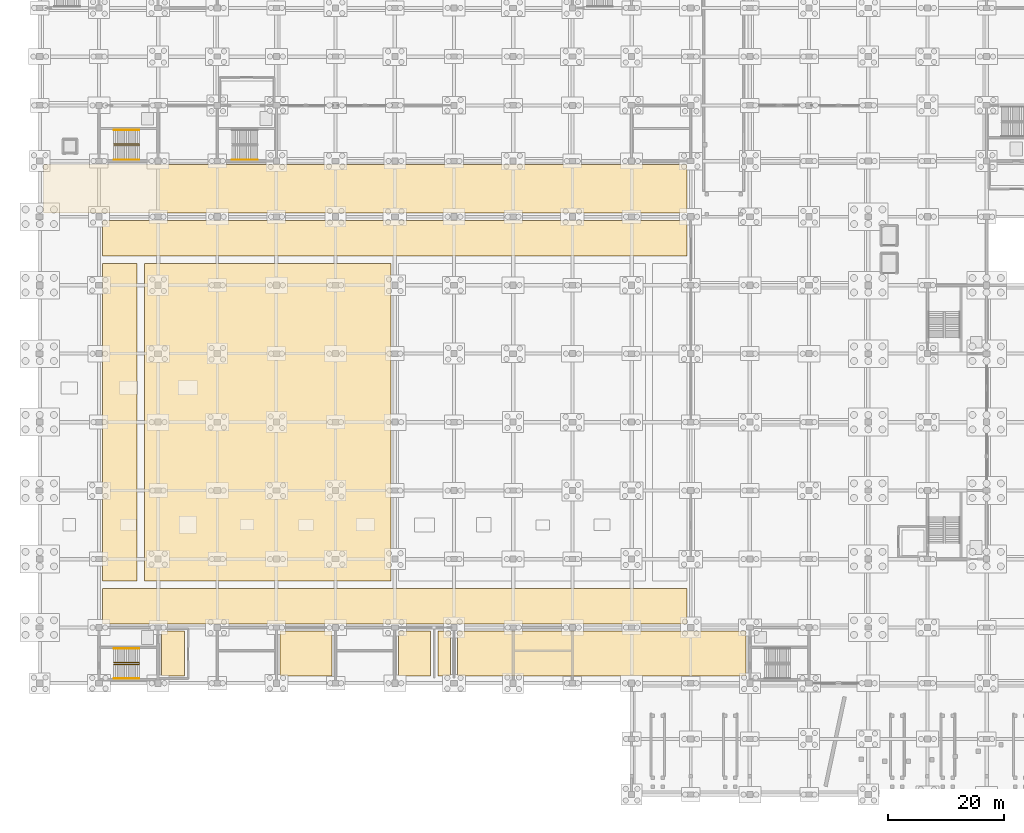
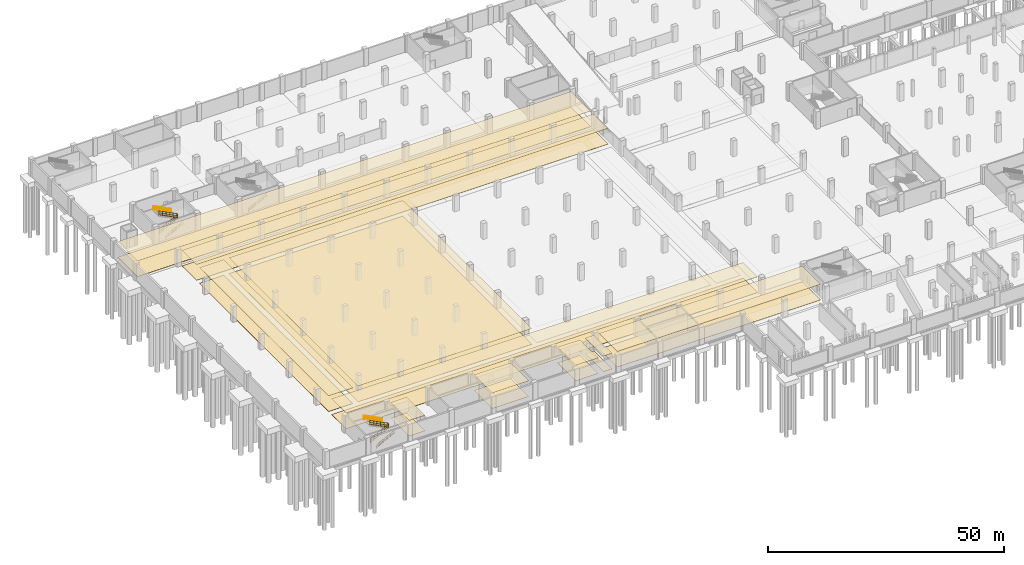
# One storey, part 47 of 52: 20 coverings, 7 railings.
"""IFC4 building model written with IfcOpenShell, lengths in metres."""

import ifcopenshell
import ifcopenshell.guid

model = None  # the IFC model being written
_history = None  # IfcOwnerHistory: only IFC2X3 demands one
_inside = {}  # id of a spatial element -> (the spatial element, [elements in it])
_under = {}  # id of a project, library or spatial element -> (it, [spatial elements below it])
_declared = {}  # id of a project -> (the project, [libraries it declares])
_typed = {}  # id of a type object -> (the type object, [elements of that type])
_made_of = {}  # id of a material, layer set ... -> (it, [elements and type objects made of it])


def new_model(schema):
    """Start an empty IFC model of exactly this schema.

    Asked for "IFC4X3", IfcOpenShell would pick the latest addendum, in which some entities
    have other attributes; the version numbers below select the first issue.
    IFC2X3 requires an IfcOwnerHistory on every rooted entity: one is made here for all.
    """
    global model, _history
    if schema == "IFC4X3":
        model = ifcopenshell.file(schema_version=(4, 3, 0, 0))
    else:
        model = ifcopenshell.file(schema=schema)
    _inside.clear()
    _under.clear()
    _declared.clear()
    _typed.clear()
    _made_of.clear()
    _history = None
    if model.schema == "IFC2X3":
        org = make("IfcOrganization", Name="unknown")
        user = make(
            "IfcPersonAndOrganization",
            ThePerson=make("IfcPerson", FamilyName="unknown"),
            TheOrganization=org,
        )
        app = make(
            "IfcApplication",
            ApplicationDeveloper=org,
            Version="unknown",
            ApplicationFullName="unknown",
            ApplicationIdentifier="unknown",
        )
        _history = make(
            "IfcOwnerHistory",
            OwningUser=user,
            OwningApplication=app,
            ChangeAction="ADDED",
            CreationDate=0,
        )
    return model


def make(cls, **values):
    """One entity of the class cls with the attributes given. An attribute that is None is left unset."""
    return model.create_entity(
        cls, **{name: value for name, value in values.items() if value is not None}
    )


def rooted(cls, **values):
    """An entity with a GlobalId (a new one), such as an element, a storey or a relation."""
    return make(cls, GlobalId=ifcopenshell.guid.new(), OwnerHistory=_history, **values)


def si_unit(unit_type, name, prefix=None):
    """IfcSIUnit, for example si_unit("LENGTHUNIT", "METRE", prefix="MILLI")."""
    return make("IfcSIUnit", UnitType=unit_type, Prefix=prefix, Name=name)


def assignment(units):
    """IfcUnitAssignment: the units of a project."""
    return None if units is None else make("IfcUnitAssignment", Units=units)


def point(xyz):
    """IfcCartesianPoint."""
    return None if xyz is None else make("IfcCartesianPoint", Coordinates=xyz)


def direction(xyz):
    """IfcDirection."""
    return None if xyz is None else make("IfcDirection", DirectionRatios=xyz)


def frame(location, z_axis=None, x_axis=None):
    """IfcAxis2Placement3D, a coordinate frame: its origin and axes. An axis left out is left unset."""
    return make(
        "IfcAxis2Placement3D",
        Location=point(location),
        Axis=direction(z_axis),
        RefDirection=direction(x_axis),
    )


def frame_2d(location, x_axis=None):
    """IfcAxis2Placement2D, a coordinate frame in the plane: its origin and x axis."""
    return make(
        "IfcAxis2Placement2D", Location=point(location), RefDirection=direction(x_axis)
    )


def origin():
    """The frame at (0, 0, 0) with its axes left unset."""
    return frame((0.0, 0.0, 0.0))


def origin_2d():
    """The frame at (0, 0) in the plane with its x axis left unset."""
    return frame_2d((0.0, 0.0))


def place(relative_to, where):
    """IfcLocalPlacement: puts the frame where relative to a parent placement (None: the world)."""
    return make(
        "IfcLocalPlacement", PlacementRelTo=relative_to, RelativePlacement=where
    )


def context(
    kind, dimensions, precision=None, world=None, true_north=None, identifier=None
):
    """IfcGeometricRepresentationContext, for example the 3D "Model" context."""
    return make(
        "IfcGeometricRepresentationContext",
        ContextIdentifier=identifier,
        ContextType=kind,
        CoordinateSpaceDimension=dimensions,
        Precision=precision,
        WorldCoordinateSystem=world,
        TrueNorth=true_north,
    )


def subcontext(parent, identifier, kind, view, scale=None):
    """IfcGeometricRepresentationSubContext, for example "Body" below "Model"."""
    return make(
        "IfcGeometricRepresentationSubContext",
        ContextIdentifier=identifier,
        ContextType=kind,
        ParentContext=parent,
        TargetScale=scale,
        TargetView=view,
    )


def project(units=None, contexts=None):
    """IfcProject with its units and contexts."""
    return rooted(
        "IfcProject",
        Name="project",
        RepresentationContexts=contexts,
        UnitsInContext=assignment(units),
    )


def spatial(cls, under=None, at=None, **own):
    """A site, building, storey or space (cls), placed at a placement, below another one or the project."""
    s = rooted(cls, ObjectPlacement=at, **own)
    if under is not None:
        _under.setdefault(under.id(), (under, []))[1].append(s)
    return s


def polyline(points):
    """IfcPolyline through the points."""
    return make("IfcPolyline", Points=[point(p) for p in points])


def profile(cls, at=None, kind="AREA", **sizes):
    """A parametric profile (cls). Its sizes go by their IFC names, for example OverallWidth=200.0."""
    return make(cls, ProfileType=kind, Position=at, **sizes)


def circle(**sizes):
    """IfcCircleProfileDef."""
    return profile("IfcCircleProfileDef", **sizes)


def outline(outer, holes=None, kind="AREA"):
    """IfcArbitraryClosedProfileDef: a profile drawn as a closed curve; with holes, ...WithVoids."""
    if holes is None:
        return make("IfcArbitraryClosedProfileDef", ProfileType=kind, OuterCurve=outer)
    return make(
        "IfcArbitraryProfileDefWithVoids",
        ProfileType=kind,
        OuterCurve=outer,
        InnerCurves=holes,
    )


def extrude(swept, where, along, depth):
    """IfcExtrudedAreaSolid: the profile swept, set in the frame where, extruded along a direction by depth."""
    return make(
        "IfcExtrudedAreaSolid",
        SweptArea=swept,
        Position=where,
        ExtrudedDirection=direction(along),
        Depth=depth,
    )


def shape(context_of_items, identifier, shape_type, items):
    """IfcShapeRepresentation: the items that make up one representation, for example the "Body"."""
    return make(
        "IfcShapeRepresentation",
        ContextOfItems=context_of_items,
        RepresentationIdentifier=identifier,
        RepresentationType=shape_type,
        Items=items,
    )


def material(Name=None, Category=None):
    """IfcMaterial."""
    return make("IfcMaterial", Name=Name, Category=Category)


def layer(
    of_material, thickness, ventilated=None, Name=None, Category=None, Priority=None
):
    """IfcMaterialLayer: one layer of a wall or slab, of a material (None: an air gap)."""
    return make(
        "IfcMaterialLayer",
        Material=of_material,
        LayerThickness=thickness,
        IsVentilated=ventilated,
        Name=Name,
        Category=Category,
        Priority=Priority,
    )


def layer_set(layers, Name=None):
    """IfcMaterialLayerSet."""
    return make("IfcMaterialLayerSet", MaterialLayers=layers, LayerSetName=Name)


def made_of(thing, what):
    """Note that an element or type object is made of a material, layer set ...; save() writes the relation."""
    if what is not None:
        _made_of.setdefault(what.id(), (what, []))[1].append(thing)
    return thing


def type_object(cls, material=None, **own):
    """A type object (cls), such as IfcWallType, which elements share."""
    return made_of(rooted(cls, **own), material)


def element(
    cls,
    number,
    at=None,
    inside=None,
    cuts=None,
    type_object=None,
    material=None,
    context=None,
    identifier="Body",
    shape_type=None,
    held_by="IfcProductDefinitionShape",
    body=None,
    shapes=None,
    **own,
):
    """One element of the class cls, such as IfcWall. Its Tag is "e" and its number.

    at: its placement. inside: the storey or other place that contains it. cuts: it is an
    opening in that element (IfcRelVoidsElement). A single representation is given by context,
    identifier, shape_type and body (its items); several are given by shapes. held_by: the class
    of the entity that holds the representations. save() writes the other relations.
    """
    e = rooted(cls, Tag="e%d" % number, ObjectPlacement=at, **own)
    if body is not None:
        shapes = [shape(context, identifier, shape_type, body)]
    if shapes is not None:
        e.Representation = make(held_by, Representations=shapes)
    if inside is not None:
        _inside.setdefault(inside.id(), (inside, []))[1].append(e)
    if cuts is not None:
        rooted(
            "IfcRelVoidsElement", RelatingBuildingElement=cuts, RelatedOpeningElement=e
        )
    if type_object is not None:
        _typed.setdefault(type_object.id(), (type_object, []))[1].append(e)
    return made_of(e, material)


def aggregate(whole, parts):
    """IfcRelAggregates: a whole, such as a stair, and the parts it consists of."""
    return rooted("IfcRelAggregates", RelatingObject=whole, RelatedObjects=parts)


def save(model, path):
    """Write the relations noted so far, then the file.

    IfcRelAggregates (storeys below a building ...), IfcRelContainedInSpatialStructure (elements
    in a storey), IfcRelDefinesByType, IfcRelAssociatesMaterial and IfcRelDeclares: one each for
    every whole, place, type object, material and project.
    """
    for whole, parts in _under.values():
        aggregate(whole, parts)
    for where, things in _inside.values():
        rooted(
            "IfcRelContainedInSpatialStructure",
            RelatedElements=things,
            RelatingStructure=where,
        )
    for kind, things in _typed.values():
        rooted("IfcRelDefinesByType", RelatedObjects=things, RelatingType=kind)
    for what, things in _made_of.values():
        rooted("IfcRelAssociatesMaterial", RelatedObjects=things, RelatingMaterial=what)
    for by, libraries in _declared.values():
        rooted("IfcRelDeclares", RelatingContext=by, RelatedDefinitions=libraries)
    model.write(path)


model = new_model("IFC4")

# Units and contexts
model_context = context("Model", 3, precision=1e-05, world=origin(), true_north=direction((0.0, 1.0)))
body_context = subcontext(model_context, "Body", "Model", "MODEL_VIEW")
ifc_project = project(units=[si_unit("LENGTHUNIT", "METRE"), si_unit("AREAUNIT", "SQUARE_METRE"), si_unit("VOLUMEUNIT", "CUBIC_METRE"), si_unit("PLANEANGLEUNIT", "RADIAN"), si_unit("MASSUNIT", "GRAM", prefix="KILO")], contexts=[model_context])

# Site, building, storey
site_placement = place(None, origin())
site = spatial("IfcSite", under=ifc_project, at=site_placement, CompositionType="ELEMENT")
building_placement = place(site_placement, origin())
building = spatial("IfcBuilding", under=site, at=building_placement, Name="Brelvane Convention Centre", CompositionType="ELEMENT")
storey_placement = place(building_placement, frame((0.0, 0.0, -4.5)))
storey = spatial("IfcBuildingStorey", under=building, at=storey_placement, Name="B1", CompositionType="ELEMENT", Elevation=-4.5)

# Coverings
ifc_material_1 = material(Name="Perforated Anodised Aluminium Alloy 6063 Acoustic Baffle", Category="aluminium")
ifc_layer_1 = layer(ifc_material_1, 0.110107421875)
ifc_layer_set_1 = layer_set([ifc_layer_1], Name="Perforated Anodised Aluminium Alloy 6063 Acoustic Baffle")
covering_type_1 = type_object("IfcCoveringType", Name="Interior Finish CL-BAF-110", PredefinedType="CEILING", material=ifc_layer_set_1)
covering_1_placement = place(storey_placement, frame((0.0, 0.0, 3.9951171875)))
element("IfcCovering", 1, at=covering_1_placement, inside=storey, type_object=covering_type_1, Name="Car Park West Two-Way Cross Aisle Acoustic Ceiling (CL-BAF-110)", PredefinedType="CEILING", context=body_context, shape_type="SweptSolid", body=[
    extrude(outline(polyline([(10.830078125, 36.830078125), (16.77001953125, 36.830078125), (16.77001953125, 91.570068359375), (10.830078125, 91.570068359375), (10.830078125, 36.830078125)])), origin(), (0.0, 0.0, 1.0), 0.10986328125),
])
covering_2_placement = place(storey_placement, frame((0.0, 0.0, 3.989990234375)))
element("IfcCovering", 2, at=covering_2_placement, inside=storey, type_object=covering_type_1, Name="Basement South Service Corridor Acoustic Ceiling (CL-BAF-110)", PredefinedType="CEILING", context=body_context, shape_type="SweptSolid", body=[
    extrude(outline(polyline([(72.030029296875, 20.429931640625), (121.77001953125, 20.429931640625), (121.77001953125, 28.169921875), (72.030029296875, 28.169921875), (72.030029296875, 20.429931640625)])), origin(), (0.0, 0.0, 1.0), 0.110107421875),
])
ifc_material_2 = material(Name="Perforated Anodised Aluminium Alloy 6063 Acoustic Baffle", Category="aluminium")
ifc_layer_2 = layer(ifc_material_2, 0.06005859375)
ifc_layer_set_2 = layer_set([ifc_layer_2], Name="Perforated Anodised Aluminium Alloy 6063 Acoustic Baffle")
covering_type_2 = type_object("IfcCoveringType", Name="Interior Finish CL-BAF-60", PredefinedType="CEILING", material=ifc_layer_set_2)
covering_3_placement = place(storey_placement, frame((0.0, 0.0, 4.0400390625)))
element("IfcCovering", 3, at=covering_3_placement, inside=storey, type_object=covering_type_2, Name="Basement Staff Male Restroom Acoustic Ceiling (CL-BAF-60)", PredefinedType="CEILING", context=body_context, shape_type="SweptSolid", body=[
    extrude(outline(polyline([(41.429931640625, 20.429931640625), (50.3701171875, 20.429931640625), (50.3701171875, 28.169921875), (41.429931640625, 28.169921875), (41.429931640625, 20.429931640625)])), origin(), (0.0, 0.0, 1.0), 0.06005859375),
])
ifc_material_3 = material(Name="Perforated Anodised Aluminium Alloy 6063 Acoustic Baffle", Category="aluminium")
ifc_layer_3 = layer(ifc_material_3, 0.074951171875)
ifc_layer_set_3 = layer_set([ifc_layer_3], Name="Perforated Anodised Aluminium Alloy 6063 Acoustic Baffle")
covering_type_3 = type_object("IfcCoveringType", Name="Interior Finish CL-BAF-75", PredefinedType="CEILING", material=ifc_layer_set_3)
covering_4_placement = place(storey_placement, frame((0.0, 0.0, 4.06005859375)))
element("IfcCovering", 4, at=covering_4_placement, inside=storey, type_object=covering_type_3, Name="Car Park South Two-Way Loop Aisle Acoustic Ceiling (CL-BAF-75)", PredefinedType="CEILING", context=body_context, shape_type="SweptSolid", body=[
    extrude(outline(polyline([(10.830078125, 29.429931640625), (111.570068359375, 29.429931640625), (111.570068359375, 35.570068359375), (10.830078125, 35.570068359375), (10.830078125, 29.429931640625)])), origin(), (0.0, 0.0, 1.0), 0.074951171875),
])
covering_5_placement = place(storey_placement, frame((0.0, 0.0, 4.02490234375)))
element("IfcCovering", 5, at=covering_5_placement, inside=storey, type_object=covering_type_3, Name="Basement Staff Female Restroom Acoustic Ceiling (CL-BAF-75)", PredefinedType="CEILING", context=body_context, shape_type="SweptSolid", body=[
    extrude(outline(polyline([(61.830078125, 20.429931640625), (67.3701171875, 20.429931640625), (67.3701171875, 28.169921875), (61.830078125, 28.169921875), (61.830078125, 20.429931640625)])), origin(), (0.0, 0.0, 1.0), 0.0751953125),
])
ifc_material_4 = material(Name="Perforated Anodised Aluminium Alloy 6063 Acoustic Baffle", Category="aluminium")
ifc_layer_4 = layer(ifc_material_4, 0.090087890625)
ifc_layer_set_4 = layer_set([ifc_layer_4], Name="Perforated Anodised Aluminium Alloy 6063 Acoustic Baffle")
covering_type_4 = type_object("IfcCoveringType", Name="Interior Finish CL-BAF-90", PredefinedType="CEILING", material=ifc_layer_set_4)
covering_6_placement = place(storey_placement, frame((0.0, 0.0, 4.010009765625)))
element("IfcCovering", 6, at=covering_6_placement, inside=storey, type_object=covering_type_4, Name="Firefighting Lift Lobby C1 Acoustic Ceiling (CL-BAF-90)", PredefinedType="CEILING", context=body_context, shape_type="SweptSolid", body=[
    extrude(outline(polyline([(21.030029296875, 20.429931640625), (24.969970703125, 20.429931640625), (24.969970703125, 28.169921875), (21.030029296875, 28.169921875), (21.030029296875, 20.429931640625)])), origin(), (0.0, 0.0, 1.0), 0.090087890625),
])
covering_7_placement = place(storey_placement, frame((0.0, 0.0, 4.030029296875)))
element("IfcCovering", 7, at=covering_7_placement, inside=storey, type_object=covering_type_4, Name="Car Park North Two-Way Loop Aisle Acoustic Ceiling (CL-BAF-90)", PredefinedType="CEILING", context=body_context, shape_type="SweptSolid", body=[
    extrude(outline(polyline([(10.830078125, 92.830078125), (111.570068359375, 92.830078125), (111.570068359375, 98.969970703125), (10.830078125, 98.969970703125), (10.830078125, 92.830078125)])), origin(), (0.0, 0.0, 1.0), 0.090087890625),
])
covering_8_placement = place(storey_placement, frame((0.0, 0.0, 4.010009765625)))
element("IfcCovering", 8, at=covering_8_placement, inside=storey, type_object=covering_type_4, Name="Basement Accessible WC Acoustic Ceiling (CL-BAF-90)", PredefinedType="CEILING", context=body_context, shape_type="SweptSolid", body=[
    extrude(outline(polyline([(68.6298828125, 20.429931640625), (70.77001953125, 20.429931640625), (70.77001953125, 28.169921875), (68.6298828125, 28.169921875), (68.6298828125, 20.429931640625)])), origin(), (0.0, 0.0, 1.0), 0.090087890625),
])
ifc_material_5 = material(Name="Moisture-Resistant Acoustic Gypsum Ceiling Tile Grade A")
ifc_layer_5 = layer(ifc_material_5, 0.02490234375)
ifc_layer_set_5 = layer_set([ifc_layer_5], Name="Moisture-Resistant Acoustic Gypsum Ceiling Tile Grade A")
covering_type_5 = type_object("IfcCoveringType", Name="Interior Finish CL-GYP-25", PredefinedType="CEILING", material=ifc_layer_set_5)
covering_9_placement = place(storey_placement, frame((0.0, 0.0, 4.080078125)))
element("IfcCovering", 9, at=covering_9_placement, inside=storey, type_object=covering_type_5, Name="VIP Delegate Car Park West Acoustic Ceiling (CL-GYP-25)", PredefinedType="CEILING", context=body_context, shape_type="SweptSolid", body=[
    extrude(outline(polyline([(18.030029296875, 36.830078125), (60.570068359375, 36.830078125), (60.570068359375, 91.570068359375), (18.030029296875, 91.570068359375), (18.030029296875, 36.830078125)])), origin(), (0.0, 0.0, 1.0), 0.02490234375),
])
ifc_material_6 = material(Name="Moisture-Resistant Acoustic Gypsum Ceiling Tile Grade A")
ifc_layer_6 = layer(ifc_material_6, 0.0419921875)
ifc_layer_set_6 = layer_set([ifc_layer_6], Name="Moisture-Resistant Acoustic Gypsum Ceiling Tile Grade A")
covering_type_6 = type_object("IfcCoveringType", Name="Interior Finish CL-GYP-42", PredefinedType="CEILING", material=ifc_layer_set_6)
covering_10_placement = place(storey_placement, frame((0.0, 0.0, 4.05810546875)))
element("IfcCovering", 10, at=covering_10_placement, inside=storey, type_object=covering_type_6, Name="Basement Freight Marshalling Gallery Acoustic Ceiling (CL-GYP-42)", PredefinedType="CEILING", context=body_context, shape_type="SweptSolid", body=[
    extrude(outline(polyline([(0.6298828125, 100.22998046875), (111.570068359375, 100.22998046875), (111.570068359375, 108.570068359375), (0.6298828125, 108.570068359375), (0.6298828125, 100.22998046875)])), origin(), (0.0, 0.0, 1.0), 0.0419921875),
])
ifc_material_7 = material(Name="Solution-Dyed Heavy Contract Wool Carpet Class 1")
ifc_layer_7 = layer(ifc_material_7, 0.028076171875)
ifc_layer_set_7 = layer_set([ifc_layer_7], Name="Solution-Dyed Heavy Contract Wool Carpet Class 1")
covering_type_7 = type_object("IfcCoveringType", Name="Interior Finish FL-CPT-28", PredefinedType="FLOORING", material=ifc_layer_set_7)
covering_11_placement = place(storey_placement, origin())
element("IfcCovering", 11, at=covering_11_placement, inside=storey, type_object=covering_type_7, Name="VIP Delegate Car Park West Floor Finish (FL-CPT-28)", PredefinedType="FLOORING", context=body_context, shape_type="SweptSolid", body=[
    extrude(outline(polyline([(18.030029296875, 36.830078125), (60.570068359375, 36.830078125), (60.570068359375, 91.570068359375), (18.030029296875, 91.570068359375), (18.030029296875, 36.830078125)])), origin(), (0.0, 0.0, 1.0), 0.028076171875),
])
ifc_material_8 = material(Name="Heavy-Duty Quartz-Filled Industrial Epoxy Screed Grade A")
ifc_layer_8 = layer(ifc_material_8, 0.034912109375)
ifc_layer_set_8 = layer_set([ifc_layer_8], Name="Heavy-Duty Quartz-Filled Industrial Epoxy Screed Grade A")
covering_type_8 = type_object("IfcCoveringType", Name="Interior Finish FL-EPX-35", PredefinedType="FLOORING", material=ifc_layer_set_8)
covering_12_placement = place(storey_placement, origin())
element("IfcCovering", 12, at=covering_12_placement, inside=storey, type_object=covering_type_8, Name="Firefighting Lift Lobby C1 Floor Finish (FL-EPX-35)", PredefinedType="FLOORING", context=body_context, shape_type="SweptSolid", body=[
    extrude(outline(polyline([(21.030029296875, 20.429931640625), (24.969970703125, 20.429931640625), (24.969970703125, 28.169921875), (21.030029296875, 28.169921875), (21.030029296875, 20.429931640625)])), origin(), (0.0, 0.0, 1.0), 0.034912109375),
])
covering_13_placement = place(storey_placement, origin())
element("IfcCovering", 13, at=covering_13_placement, inside=storey, type_object=covering_type_8, Name="Car Park North Two-Way Loop Aisle Floor Finish (FL-EPX-35)", PredefinedType="FLOORING", context=body_context, shape_type="SweptSolid", body=[
    extrude(outline(polyline([(10.830078125, 92.830078125), (111.570068359375, 92.830078125), (111.570068359375, 98.969970703125), (10.830078125, 98.969970703125), (10.830078125, 92.830078125)])), origin(), (0.0, 0.0, 1.0), 0.034912109375),
])
covering_14_placement = place(storey_placement, origin())
element("IfcCovering", 14, at=covering_14_placement, inside=storey, type_object=covering_type_8, Name="Basement Accessible WC Floor Finish (FL-EPX-35)", PredefinedType="FLOORING", context=body_context, shape_type="SweptSolid", body=[
    extrude(outline(polyline([(68.6298828125, 20.429931640625), (70.77001953125, 20.429931640625), (70.77001953125, 28.169921875), (68.6298828125, 28.169921875), (68.6298828125, 20.429931640625)])), origin(), (0.0, 0.0, 1.0), 0.034912109375),
])
ifc_material_9 = material(Name="Heavy-Duty Quartz-Filled Industrial Epoxy Screed Grade A")
ifc_layer_9 = layer(ifc_material_9, 0.044921875)
ifc_layer_set_9 = layer_set([ifc_layer_9], Name="Heavy-Duty Quartz-Filled Industrial Epoxy Screed Grade A")
covering_type_9 = type_object("IfcCoveringType", Name="Interior Finish FL-EPX-45", PredefinedType="FLOORING", material=ifc_layer_set_9)
covering_15_placement = place(storey_placement, origin())
element("IfcCovering", 15, at=covering_15_placement, inside=storey, type_object=covering_type_9, Name="Car Park West Two-Way Cross Aisle Floor Finish (FL-EPX-45)", PredefinedType="FLOORING", context=body_context, shape_type="SweptSolid", body=[
    extrude(outline(polyline([(10.830078125, 36.830078125), (16.77001953125, 36.830078125), (16.77001953125, 91.570068359375), (10.830078125, 91.570068359375), (10.830078125, 36.830078125)])), origin(), (0.0, 0.0, 1.0), 0.044921875),
])
covering_16_placement = place(storey_placement, origin())
element("IfcCovering", 16, at=covering_16_placement, inside=storey, type_object=covering_type_9, Name="Basement South Service Corridor Floor Finish (FL-EPX-45)", PredefinedType="FLOORING", context=body_context, shape_type="SweptSolid", body=[
    extrude(outline(polyline([(72.030029296875, 20.429931640625), (121.77001953125, 20.429931640625), (121.77001953125, 28.169921875), (72.030029296875, 28.169921875), (72.030029296875, 20.429931640625)])), origin(), (0.0, 0.0, 1.0), 0.044921875),
])
ifc_material_10 = material(Name="Polished Basalt-Aggregate Terrazzo Screed Concrete M30", Category="masonry")
ifc_layer_10 = layer(ifc_material_10, 0.054931640625)
ifc_layer_set_10 = layer_set([ifc_layer_10], Name="Polished Basalt-Aggregate Terrazzo Screed Concrete M30")
covering_type_10 = type_object("IfcCoveringType", Name="Interior Finish FL-STN-55", PredefinedType="FLOORING", material=ifc_layer_set_10)
covering_17_placement = place(storey_placement, origin())
element("IfcCovering", 17, at=covering_17_placement, inside=storey, type_object=covering_type_10, Name="Basement Freight Marshalling Gallery Floor Finish (FL-STN-55)", PredefinedType="FLOORING", context=body_context, shape_type="SweptSolid", body=[
    extrude(outline(polyline([(0.6298828125, 100.22998046875), (111.570068359375, 100.22998046875), (111.570068359375, 108.570068359375), (0.6298828125, 108.570068359375), (0.6298828125, 100.22998046875)])), origin(), (0.0, 0.0, 1.0), 0.054931640625),
])
ifc_material_11 = material(Name="Polished Basalt-Aggregate Terrazzo Screed Concrete M30", Category="masonry")
ifc_layer_11 = layer(ifc_material_11, 0.0400390625)
ifc_layer_set_11 = layer_set([ifc_layer_11], Name="Polished Basalt-Aggregate Terrazzo Screed Concrete M30")
covering_type_11 = type_object("IfcCoveringType", Name="Interior Finish FL-TER-40", PredefinedType="FLOORING", material=ifc_layer_set_11)
covering_18_placement = place(storey_placement, origin())
element("IfcCovering", 18, at=covering_18_placement, inside=storey, type_object=covering_type_11, Name="Basement Staff Male Restroom Floor Finish (FL-TER-40)", PredefinedType="FLOORING", context=body_context, shape_type="SweptSolid", body=[
    extrude(outline(polyline([(41.429931640625, 20.429931640625), (50.3701171875, 20.429931640625), (50.3701171875, 28.169921875), (41.429931640625, 28.169921875), (41.429931640625, 20.429931640625)])), origin(), (0.0, 0.0, 1.0), 0.0400390625),
])
ifc_material_12 = material(Name="Polished Basalt-Aggregate Terrazzo Screed Concrete M30", Category="masonry")
ifc_layer_12 = layer(ifc_material_12, 0.050048828125)
ifc_layer_set_12 = layer_set([ifc_layer_12], Name="Polished Basalt-Aggregate Terrazzo Screed Concrete M30")
covering_type_12 = type_object("IfcCoveringType", Name="Interior Finish FL-TER-50", PredefinedType="FLOORING", material=ifc_layer_set_12)
covering_19_placement = place(storey_placement, origin())
element("IfcCovering", 19, at=covering_19_placement, inside=storey, type_object=covering_type_12, Name="Car Park South Two-Way Loop Aisle Floor Finish (FL-TER-50)", PredefinedType="FLOORING", context=body_context, shape_type="SweptSolid", body=[
    extrude(outline(polyline([(10.830078125, 29.429931640625), (111.570068359375, 29.429931640625), (111.570068359375, 35.570068359375), (10.830078125, 35.570068359375), (10.830078125, 29.429931640625)])), origin(), (0.0, 0.0, 1.0), 0.050048828125),
])
covering_20_placement = place(storey_placement, origin())
element("IfcCovering", 20, at=covering_20_placement, inside=storey, type_object=covering_type_12, Name="Basement Staff Female Restroom Floor Finish (FL-TER-50)", PredefinedType="FLOORING", context=body_context, shape_type="SweptSolid", body=[
    extrude(outline(polyline([(61.830078125, 20.429931640625), (67.3701171875, 20.429931640625), (67.3701171875, 28.169921875), (61.830078125, 28.169921875), (61.830078125, 20.429931640625)])), origin(), (0.0, 0.0, 1.0), 0.050048828125),
])

# Railings
ifc_material_13 = material(Name="Steel E350 (350 MPa)", Category="steel")
railing_type_1 = type_object("IfcRailingType", Name="Stair Railing GR-ST-1", PredefinedType="GUARDRAIL", material=ifc_material_13)
railing_1_placement = place(storey_placement, frame((12.75, 22.43994140625, -0.02001953125)))
element("IfcRailing", 21, at=railing_1_placement, inside=storey, type_object=railing_type_1, Name="Stair ST-01 B1 Inner Well Guard", PredefinedType="GUARDRAIL", context=body_context, shape_type="SweptSolid", body=[
    extrude(circle(Radius=0.02392578125, at=origin_2d()), frame((0.0, 0.0, 1.1259765625), z_axis=(0.889118431412, 0.0, 0.45767719511), x_axis=(0.0, 1.0, 0.0)), (0.0, 0.0, 1.0), 4.9599609375),
    extrude(circle(Radius=0.02392578125, at=origin_2d()), frame((0.0, 0.0, 0.597900390625), z_axis=(0.889118431412, 0.0, 0.45767719511), x_axis=(0.0, 1.0, 0.0)), (0.0, 0.0, 1.0), 4.9599609375),
    extrude(circle(Radius=0.02392578125, at=origin_2d()), frame((0.0, 0.0, 0.139892578125), z_axis=(0.889118431412, 0.0, 0.45767719511), x_axis=(0.0, 1.0, 0.0)), (0.0, 0.0, 1.0), 4.9599609375),
    extrude(circle(Radius=0.02392578125, at=origin_2d()), frame((4.409912109375, 0.0, 3.39599609375), z_axis=(0.0, 1.0, 0.0), x_axis=(-1.0, 0.0, 0.0)), (0.0, 0.0, 1.0), 0.320068359375),
    extrude(circle(Radius=0.02392578125, at=origin_2d()), frame((4.409912109375, 0.0, 2.867919921875), z_axis=(0.0, 1.0, 0.0), x_axis=(-1.0, 0.0, 0.0)), (0.0, 0.0, 1.0), 0.320068359375),
    extrude(circle(Radius=0.02392578125, at=origin_2d()), frame((4.409912109375, 0.0, 2.409912109375), z_axis=(0.0, 1.0, 0.0), x_axis=(-1.0, 0.0, 0.0)), (0.0, 0.0, 1.0), 0.320068359375),
    extrude(circle(Radius=0.02392578125, at=origin_2d()), frame((4.409912109375, 0.320068359375, 3.39599609375), z_axis=(-0.892392434286, 0.0, 0.451260172439), x_axis=(0.0, -1.0, 0.0)), (0.0, 0.0, 1.0), 4.941650390625),
    extrude(circle(Radius=0.02392578125, at=origin_2d()), frame((4.409912109375, 0.320068359375, 2.867919921875), z_axis=(-0.892392434286, 0.0, 0.451260172439), x_axis=(0.0, -1.0, 0.0)), (0.0, 0.0, 1.0), 4.941650390625),
    extrude(circle(Radius=0.02392578125, at=origin_2d()), frame((4.409912109375, 0.320068359375, 2.409912109375), z_axis=(-0.892392434286, 0.0, 0.451260172439), x_axis=(0.0, -1.0, 0.0)), (0.0, 0.0, 1.0), 4.941650390625),
    extrude(circle(Radius=0.02099609375, at=origin_2d()), origin(), (0.0, 0.0, 1.0), 1.101806640625),
    extrude(circle(Radius=0.02099609375, at=origin_2d()), frame((0.882080078125, 0.0, 0.4541015625)), (0.0, 0.0, 1.0), 1.101806640625),
    extrude(circle(Radius=0.02099609375, at=origin_2d()), frame((1.763916015625, 0.0, 0.907958984375)), (0.0, 0.0, 1.0), 1.101806640625),
    extrude(circle(Radius=0.02099609375, at=origin_2d()), frame((2.64599609375, 0.0, 1.362060546875)), (0.0, 0.0, 1.0), 1.101806640625),
    extrude(circle(Radius=0.02099609375, at=origin_2d()), frame((3.52783203125, 0.0, 1.81591796875)), (0.0, 0.0, 1.0), 1.101806640625),
    extrude(circle(Radius=0.02099609375, at=origin_2d()), frame((4.409912109375, 0.0, 2.27001953125)), (0.0, 0.0, 1.0), 1.101806640625),
    extrude(circle(Radius=0.02099609375, at=origin_2d()), frame((4.409912109375, 0.320068359375, 2.27001953125)), (0.0, 0.0, 1.0), 1.101806640625),
    extrude(circle(Radius=0.02099609375, at=origin_2d()), frame((3.52783203125, 0.320068359375, 2.716064453125)), (0.0, 0.0, 1.0), 1.101806640625),
    extrude(circle(Radius=0.02099609375, at=origin_2d()), frame((2.64599609375, 0.320068359375, 3.162109375)), (0.0, 0.0, 1.0), 1.101806640625),
    extrude(circle(Radius=0.02099609375, at=origin_2d()), frame((1.763916015625, 0.320068359375, 3.60791015625)), (0.0, 0.0, 1.0), 1.101806640625),
    extrude(circle(Radius=0.02099609375, at=origin_2d()), frame((0.882080078125, 0.320068359375, 4.053955078125)), (0.0, 0.0, 1.0), 1.101806640625),
    extrude(circle(Radius=0.02099609375, at=origin_2d()), frame((0.0, 0.320068359375, 4.5)), (0.0, 0.0, 1.0), 1.101806640625),
])
railing_2_placement = place(storey_placement, frame((12.75, 111.840087890625, -0.02001953125)))
element("IfcRailing", 22, at=railing_2_placement, inside=storey, type_object=railing_type_1, Name="Stair ST-06 B1 Inner Well Guard", PredefinedType="GUARDRAIL", context=body_context, shape_type="SweptSolid", body=[
    extrude(circle(Radius=0.02392578125, at=origin_2d()), frame((0.0, 0.0, 1.1259765625), z_axis=(0.889118431412, 0.0, 0.45767719511), x_axis=(0.0, 1.0, 0.0)), (0.0, 0.0, 1.0), 4.9599609375),
    extrude(circle(Radius=0.02392578125, at=origin_2d()), frame((0.0, 0.0, 0.597900390625), z_axis=(0.889118431412, 0.0, 0.45767719511), x_axis=(0.0, 1.0, 0.0)), (0.0, 0.0, 1.0), 4.9599609375),
    extrude(circle(Radius=0.02392578125, at=origin_2d()), frame((0.0, 0.0, 0.139892578125), z_axis=(0.889118431412, 0.0, 0.45767719511), x_axis=(0.0, 1.0, 0.0)), (0.0, 0.0, 1.0), 4.9599609375),
    extrude(circle(Radius=0.02392578125, at=origin_2d()), frame((4.409912109375, 0.0, 3.39599609375), z_axis=(0.0, 1.0, 0.0), x_axis=(-1.0, 0.0, 0.0)), (0.0, 0.0, 1.0), 0.31982421875),
    extrude(circle(Radius=0.02392578125, at=origin_2d()), frame((4.409912109375, 0.0, 2.867919921875), z_axis=(0.0, 1.0, 0.0), x_axis=(-1.0, 0.0, 0.0)), (0.0, 0.0, 1.0), 0.31982421875),
    extrude(circle(Radius=0.02392578125, at=origin_2d()), frame((4.409912109375, 0.0, 2.409912109375), z_axis=(0.0, 1.0, 0.0), x_axis=(-1.0, 0.0, 0.0)), (0.0, 0.0, 1.0), 0.31982421875),
    extrude(circle(Radius=0.02392578125, at=origin_2d()), frame((4.409912109375, 0.31982421875, 3.39599609375), z_axis=(-0.892392434286, 0.0, 0.451260172439), x_axis=(0.0, -1.0, 0.0)), (0.0, 0.0, 1.0), 4.941650390625),
    extrude(circle(Radius=0.02392578125, at=origin_2d()), frame((4.409912109375, 0.31982421875, 2.867919921875), z_axis=(-0.892392434286, 0.0, 0.451260172439), x_axis=(0.0, -1.0, 0.0)), (0.0, 0.0, 1.0), 4.941650390625),
    extrude(circle(Radius=0.02392578125, at=origin_2d()), frame((4.409912109375, 0.31982421875, 2.409912109375), z_axis=(-0.892392434286, 0.0, 0.451260172439), x_axis=(0.0, -1.0, 0.0)), (0.0, 0.0, 1.0), 4.941650390625),
    extrude(circle(Radius=0.02099609375, at=origin_2d()), origin(), (0.0, 0.0, 1.0), 1.101806640625),
    extrude(circle(Radius=0.02099609375, at=origin_2d()), frame((0.882080078125, 0.0, 0.4541015625)), (0.0, 0.0, 1.0), 1.101806640625),
    extrude(circle(Radius=0.02099609375, at=origin_2d()), frame((1.763916015625, 0.0, 0.907958984375)), (0.0, 0.0, 1.0), 1.101806640625),
    extrude(circle(Radius=0.02099609375, at=origin_2d()), frame((2.64599609375, 0.0, 1.362060546875)), (0.0, 0.0, 1.0), 1.101806640625),
    extrude(circle(Radius=0.02099609375, at=origin_2d()), frame((3.52783203125, 0.0, 1.81591796875)), (0.0, 0.0, 1.0), 1.101806640625),
    extrude(circle(Radius=0.02099609375, at=origin_2d()), frame((4.409912109375, 0.0, 2.27001953125)), (0.0, 0.0, 1.0), 1.101806640625),
    extrude(circle(Radius=0.02099609375, at=origin_2d()), frame((4.409912109375, 0.31982421875, 2.27001953125)), (0.0, 0.0, 1.0), 1.101806640625),
    extrude(circle(Radius=0.02099609375, at=origin_2d()), frame((3.52783203125, 0.31982421875, 2.716064453125)), (0.0, 0.0, 1.0), 1.101806640625),
    extrude(circle(Radius=0.02099609375, at=origin_2d()), frame((2.64599609375, 0.31982421875, 3.162109375)), (0.0, 0.0, 1.0), 1.101806640625),
    extrude(circle(Radius=0.02099609375, at=origin_2d()), frame((1.763916015625, 0.31982421875, 3.60791015625)), (0.0, 0.0, 1.0), 1.101806640625),
    extrude(circle(Radius=0.02099609375, at=origin_2d()), frame((0.882080078125, 0.31982421875, 4.053955078125)), (0.0, 0.0, 1.0), 1.101806640625),
    extrude(circle(Radius=0.02099609375, at=origin_2d()), frame((0.0, 0.31982421875, 4.5)), (0.0, 0.0, 1.0), 1.101806640625),
])
ifc_material_14 = material(Name="Steel E350 (350 MPa)", Category="steel")
railing_type_2 = type_object("IfcRailingType", Name="Stair Railing HR-ST-1", PredefinedType="HANDRAIL", material=ifc_material_14)
railing_3_placement = place(storey_placement, frame((12.75, 20.030029296875, -0.02001953125)))
element("IfcRailing", 23, at=railing_3_placement, inside=storey, type_object=railing_type_2, Name="Stair ST-01 B1 Outer Handrail F1", PredefinedType="HANDRAIL", context=body_context, shape_type="SweptSolid", body=[
    extrude(circle(Radius=0.02392578125, at=origin_2d()), frame((0.0, 0.0, 0.89599609375), z_axis=(0.889118431412, 0.0, 0.45767719511), x_axis=(0.0, 1.0, 0.0)), (0.0, 0.0, 1.0), 4.9599609375),
    extrude(circle(Radius=0.02392578125, at=origin_2d()), frame((0.0, 0.0, 0.478271484375), z_axis=(0.889118431412, 0.0, 0.45767719511), x_axis=(0.0, 1.0, 0.0)), (0.0, 0.0, 1.0), 4.9599609375),
    extrude(circle(Radius=0.02392578125, at=origin_2d()), frame((0.0, 0.0, 0.139892578125), z_axis=(0.889118431412, 0.0, 0.45767719511), x_axis=(0.0, 1.0, 0.0)), (0.0, 0.0, 1.0), 4.9599609375),
    extrude(circle(Radius=0.02099609375, at=origin_2d()), origin(), (0.0, 0.0, 1.0), 0.871826171875),
    extrude(circle(Radius=0.02099609375, at=origin_2d()), frame((0.882080078125, 0.0, 0.4541015625)), (0.0, 0.0, 1.0), 0.871826171875),
    extrude(circle(Radius=0.02099609375, at=origin_2d()), frame((1.763916015625, 0.0, 0.907958984375)), (0.0, 0.0, 1.0), 0.871826171875),
    extrude(circle(Radius=0.02099609375, at=origin_2d()), frame((2.64599609375, 0.0, 1.362060546875)), (0.0, 0.0, 1.0), 0.871826171875),
    extrude(circle(Radius=0.02099609375, at=origin_2d()), frame((3.52783203125, 0.0, 1.81591796875)), (0.0, 0.0, 1.0), 0.871826171875),
    extrude(circle(Radius=0.02099609375, at=origin_2d()), frame((4.409912109375, 0.0, 2.27001953125)), (0.0, 0.0, 1.0), 0.871826171875),
])
railing_4_placement = place(storey_placement, frame((17.159912109375, 25.169921875, 2.25)))
element("IfcRailing", 24, at=railing_4_placement, inside=storey, type_object=railing_type_2, Name="Stair ST-01 B1 Outer Handrail F2", PredefinedType="HANDRAIL", context=body_context, shape_type="SweptSolid", body=[
    extrude(circle(Radius=0.02392578125, at=origin_2d()), frame((0.0, 0.0, 0.89599609375), z_axis=(-0.892392434286, 0.0, 0.451260172439), x_axis=(0.0, -1.0, 0.0)), (0.0, 0.0, 1.0), 4.941650390625),
    extrude(circle(Radius=0.02392578125, at=origin_2d()), frame((0.0, 0.0, 0.478271484375), z_axis=(-0.892392434286, 0.0, 0.451260172439), x_axis=(0.0, -1.0, 0.0)), (0.0, 0.0, 1.0), 4.941650390625),
    extrude(circle(Radius=0.02392578125, at=origin_2d()), frame((0.0, 0.0, 0.139892578125), z_axis=(-0.892392434286, 0.0, 0.451260172439), x_axis=(0.0, -1.0, 0.0)), (0.0, 0.0, 1.0), 4.941650390625),
    extrude(circle(Radius=0.02099609375, at=origin_2d()), origin(), (0.0, 0.0, 1.0), 0.871826171875),
    extrude(circle(Radius=0.02099609375, at=origin_2d()), frame((-0.882080078125, 0.0, 0.446044921875)), (0.0, 0.0, 1.0), 0.871826171875),
    extrude(circle(Radius=0.02099609375, at=origin_2d()), frame((-1.763916015625, 0.0, 0.89208984375)), (0.0, 0.0, 1.0), 0.871826171875),
    extrude(circle(Radius=0.02099609375, at=origin_2d()), frame((-2.64599609375, 0.0, 1.337890625)), (0.0, 0.0, 1.0), 0.871826171875),
    extrude(circle(Radius=0.02099609375, at=origin_2d()), frame((-3.52783203125, 0.0, 1.783935546875)), (0.0, 0.0, 1.0), 0.871826171875),
    extrude(circle(Radius=0.02099609375, at=origin_2d()), frame((-4.409912109375, 0.0, 2.22998046875)), (0.0, 0.0, 1.0), 0.871826171875),
])
railing_5_placement = place(storey_placement, frame((12.75, 109.429931640625, -0.02001953125)))
element("IfcRailing", 25, at=railing_5_placement, inside=storey, type_object=railing_type_2, Name="Stair ST-06 B1 Outer Handrail F1", PredefinedType="HANDRAIL", context=body_context, shape_type="SweptSolid", body=[
    extrude(circle(Radius=0.02392578125, at=origin_2d()), frame((0.0, 0.0, 0.89599609375), z_axis=(0.889118431412, 0.0, 0.45767719511), x_axis=(0.0, 1.0, 0.0)), (0.0, 0.0, 1.0), 4.9599609375),
    extrude(circle(Radius=0.02392578125, at=origin_2d()), frame((0.0, 0.0, 0.478271484375), z_axis=(0.889118431412, 0.0, 0.45767719511), x_axis=(0.0, 1.0, 0.0)), (0.0, 0.0, 1.0), 4.9599609375),
    extrude(circle(Radius=0.02392578125, at=origin_2d()), frame((0.0, 0.0, 0.139892578125), z_axis=(0.889118431412, 0.0, 0.45767719511), x_axis=(0.0, 1.0, 0.0)), (0.0, 0.0, 1.0), 4.9599609375),
    extrude(circle(Radius=0.02099609375, at=origin_2d()), origin(), (0.0, 0.0, 1.0), 0.871826171875),
    extrude(circle(Radius=0.02099609375, at=origin_2d()), frame((0.882080078125, 0.0, 0.4541015625)), (0.0, 0.0, 1.0), 0.871826171875),
    extrude(circle(Radius=0.02099609375, at=origin_2d()), frame((1.763916015625, 0.0, 0.907958984375)), (0.0, 0.0, 1.0), 0.871826171875),
    extrude(circle(Radius=0.02099609375, at=origin_2d()), frame((2.64599609375, 0.0, 1.362060546875)), (0.0, 0.0, 1.0), 0.871826171875),
    extrude(circle(Radius=0.02099609375, at=origin_2d()), frame((3.52783203125, 0.0, 1.81591796875)), (0.0, 0.0, 1.0), 0.871826171875),
    extrude(circle(Radius=0.02099609375, at=origin_2d()), frame((4.409912109375, 0.0, 2.27001953125)), (0.0, 0.0, 1.0), 0.871826171875),
])
railing_6_placement = place(storey_placement, frame((17.159912109375, 114.570068359375, 2.25)))
element("IfcRailing", 26, at=railing_6_placement, inside=storey, type_object=railing_type_2, Name="Stair ST-06 B1 Outer Handrail F2", PredefinedType="HANDRAIL", context=body_context, shape_type="SweptSolid", body=[
    extrude(circle(Radius=0.02392578125, at=origin_2d()), frame((0.0, 0.0, 0.89599609375), z_axis=(-0.892392434286, 0.0, 0.451260172439), x_axis=(0.0, -1.0, 0.0)), (0.0, 0.0, 1.0), 4.941650390625),
    extrude(circle(Radius=0.02392578125, at=origin_2d()), frame((0.0, 0.0, 0.478271484375), z_axis=(-0.892392434286, 0.0, 0.451260172439), x_axis=(0.0, -1.0, 0.0)), (0.0, 0.0, 1.0), 4.941650390625),
    extrude(circle(Radius=0.02392578125, at=origin_2d()), frame((0.0, 0.0, 0.139892578125), z_axis=(-0.892392434286, 0.0, 0.451260172439), x_axis=(0.0, -1.0, 0.0)), (0.0, 0.0, 1.0), 4.941650390625),
    extrude(circle(Radius=0.02099609375, at=origin_2d()), origin(), (0.0, 0.0, 1.0), 0.871826171875),
    extrude(circle(Radius=0.02099609375, at=origin_2d()), frame((-0.882080078125, 0.0, 0.446044921875)), (0.0, 0.0, 1.0), 0.871826171875),
    extrude(circle(Radius=0.02099609375, at=origin_2d()), frame((-1.763916015625, 0.0, 0.89208984375)), (0.0, 0.0, 1.0), 0.871826171875),
    extrude(circle(Radius=0.02099609375, at=origin_2d()), frame((-2.64599609375, 0.0, 1.337890625)), (0.0, 0.0, 1.0), 0.871826171875),
    extrude(circle(Radius=0.02099609375, at=origin_2d()), frame((-3.52783203125, 0.0, 1.783935546875)), (0.0, 0.0, 1.0), 0.871826171875),
    extrude(circle(Radius=0.02099609375, at=origin_2d()), frame((-4.409912109375, 0.0, 2.22998046875)), (0.0, 0.0, 1.0), 0.871826171875),
])
railing_7_placement = place(storey_placement, frame((33.14990234375, 109.429931640625, -0.02001953125)))
element("IfcRailing", 27, at=railing_7_placement, inside=storey, type_object=railing_type_2, Name="Stair ST-07 B1 Outer Handrail F1", PredefinedType="HANDRAIL", context=body_context, shape_type="SweptSolid", body=[
    extrude(circle(Radius=0.02392578125, at=origin_2d()), frame((0.0, 0.0, 0.89599609375), z_axis=(0.889128741438, 0.0, 0.457657165517), x_axis=(0.0, 1.0, 0.0)), (0.0, 0.0, 1.0), 4.960205078125),
    extrude(circle(Radius=0.02392578125, at=origin_2d()), frame((0.0, 0.0, 0.478271484375), z_axis=(0.889128741438, 0.0, 0.457657165517), x_axis=(0.0, 1.0, 0.0)), (0.0, 0.0, 1.0), 4.960205078125),
    extrude(circle(Radius=0.02392578125, at=origin_2d()), frame((0.0, 0.0, 0.139892578125), z_axis=(0.889128741438, 0.0, 0.457657165517), x_axis=(0.0, 1.0, 0.0)), (0.0, 0.0, 1.0), 4.960205078125),
    extrude(circle(Radius=0.02099609375, at=origin_2d()), origin(), (0.0, 0.0, 1.0), 0.871826171875),
    extrude(circle(Radius=0.02099609375, at=origin_2d()), frame((0.882080078125, 0.0, 0.4541015625)), (0.0, 0.0, 1.0), 0.871826171875),
    extrude(circle(Radius=0.02099609375, at=origin_2d()), frame((1.76416015625, 0.0, 0.907958984375)), (0.0, 0.0, 1.0), 0.871826171875),
    extrude(circle(Radius=0.02099609375, at=origin_2d()), frame((2.64599609375, 0.0, 1.362060546875)), (0.0, 0.0, 1.0), 0.871826171875),
    extrude(circle(Radius=0.02099609375, at=origin_2d()), frame((3.528076171875, 0.0, 1.81591796875)), (0.0, 0.0, 1.0), 0.871826171875),
    extrude(circle(Radius=0.02099609375, at=origin_2d()), frame((4.41015625, 0.0, 2.27001953125)), (0.0, 0.0, 1.0), 0.871826171875),
])

save(model, "model.ifc")
